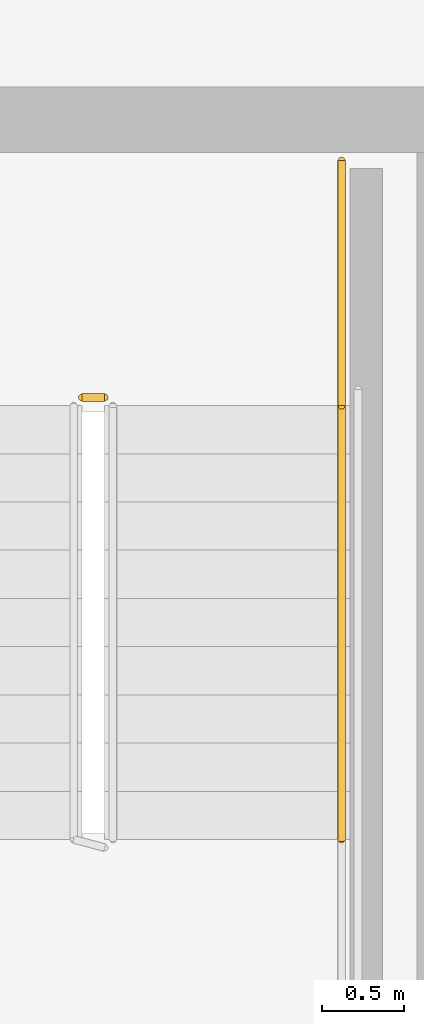
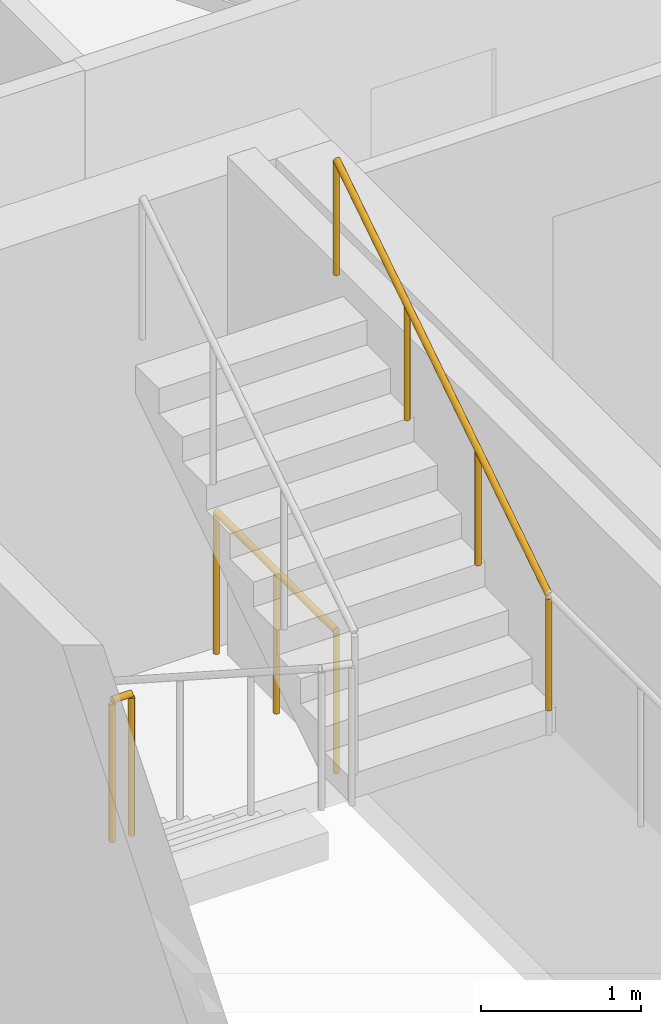
# One storey, part 36 of 37: 3 railings.
"""IFC4 building model written with IfcOpenShell, lengths in metres."""

from ifc_helpers import new_model, si_unit, direction, frame, origin, origin_2d, place, context, subcontext, project, spatial, circle, extrude, material, layer, layer_set, type_object, element, save


model = new_model("IFC4")

# Units and contexts
model_context = context("Model", 3, precision=1e-05, world=origin(), true_north=direction((0.0, 1.0)))
body_context = subcontext(model_context, "Body", "Model", "MODEL_VIEW")
ifc_project = project(units=[si_unit("LENGTHUNIT", "METRE"), si_unit("AREAUNIT", "SQUARE_METRE"), si_unit("VOLUMEUNIT", "CUBIC_METRE"), si_unit("PLANEANGLEUNIT", "RADIAN"), si_unit("MASSUNIT", "GRAM", prefix="KILO")], contexts=[model_context])

# Site, building, storey
site_placement = place(None, origin())
site = spatial("IfcSite", under=ifc_project, at=site_placement, CompositionType="ELEMENT")
building_placement = place(site_placement, origin())
building = spatial("IfcBuilding", under=site, at=building_placement, Name="Ndaravel Arena Tower", CompositionType="ELEMENT")
storey_placement = place(building_placement, frame((0.0, 0.0, 218.0)))
storey = spatial("IfcBuildingStorey", under=building, at=storey_placement, Name="L52", CompositionType="ELEMENT", Elevation=218.0)

# Railings
ifc_material_1 = material(Name="Steel S355", Category="steel")
ifc_layer_1 = layer(ifc_material_1, 0.06005859375)
ifc_layer_set_1 = layer_set([ifc_layer_1], Name="Steel S355")
railing_type_1 = type_object("IfcRailingType", Name="RAIL-STAIR-GD1100", PredefinedType="GUARDRAIL", material=ifc_layer_set_1)
railing_1_placement = place(storey_placement, frame((55.10009765625, 13.300048828125, 0.0)))
element("IfcRailing", 1, at=railing_1_placement, inside=storey, type_object=railing_type_1, Name="L52 ST-3 stair guard 4", PredefinedType="GUARDRAIL", context=body_context, shape_type="SweptSolid", body=[
    extrude(circle(Radius=0.02392578125, at=origin_2d()), frame((0.0, 0.0, 1.076171875), z_axis=(1.0, 0.0, 0.0), x_axis=(0.0, 1.0, 0.0)), (0.0, 0.0, 1.0), 0.139892578125),
    extrude(circle(Radius=0.02099609375, at=origin_2d()), origin(), (0.0, 0.0, 1.0), 1.052001953125),
    extrude(circle(Radius=0.02099609375, at=origin_2d()), frame((0.139892578125, 0.0, 0.0)), (0.0, 0.0, 1.0), 1.052001953125),
])
railing_2_placement = place(storey_placement, frame((56.68994140625, 14.75, 0.0)))
element("IfcRailing", 2, at=railing_2_placement, inside=storey, type_object=railing_type_1, Name="L52 ST-3 stair guard 5", PredefinedType="GUARDRAIL", context=body_context, shape_type="SweptSolid", body=[
    extrude(circle(Radius=0.02392578125, at=origin_2d()), frame((0.0, 0.0, 1.076171875), z_axis=(0.0, -1.0, 0.0), x_axis=(1.0, 0.0, 0.0)), (0.0, 0.0, 1.0), 1.5),
    extrude(circle(Radius=0.02099609375, at=origin_2d()), origin(), (0.0, 0.0, 1.0), 1.052001953125),
    extrude(circle(Radius=0.02099609375, at=origin_2d()), frame((0.0, -0.75, 0.0)), (0.0, 0.0, 1.0), 1.052001953125),
    extrude(circle(Radius=0.02099609375, at=origin_2d()), frame((0.0, -1.5, 0.0)), (0.0, 0.0, 1.0), 1.052001953125),
])
ifc_material_2 = material(Name="Steel S355", Category="steel")
ifc_layer_2 = layer(ifc_material_2, 0.050048828125)
ifc_layer_set_2 = layer_set([ifc_layer_2], Name="Steel S355")
railing_type_2 = type_object("IfcRailingType", Name="RAIL-STAIR-HR920", PredefinedType="HANDRAIL", material=ifc_layer_set_2)
railing_3_placement = place(storey_placement, frame((56.68994140625, 10.594970703125, 2.090087890625)))
element("IfcRailing", 3, at=railing_3_placement, inside=storey, type_object=railing_type_2, Name="L52 ST-3 stair handrail 2", PredefinedType="HANDRAIL", context=body_context, shape_type="SweptSolid", body=[
    extrude(circle(Radius=0.02392578125, at=origin_2d()), frame((0.0, 0.0, 0.8759765625), z_axis=(0.0, 0.840723540582, 0.54146461409), x_axis=(-1.0, 0.0, 0.0)), (0.0, 0.0, 1.0), 3.157958984375),
    extrude(circle(Radius=0.02099609375, at=origin_2d()), origin(), (0.0, 0.0, 1.0), 0.851806640625),
    extrude(circle(Radius=0.02099609375, at=origin_2d()), frame((0.0, 0.885009765625, 0.570068359375)), (0.0, 0.0, 1.0), 0.851806640625),
    extrude(circle(Radius=0.02099609375, at=origin_2d()), frame((0.0, 1.77001953125, 1.139892578125)), (0.0, 0.0, 1.0), 0.851806640625),
    extrude(circle(Radius=0.02099609375, at=origin_2d()), frame((0.0, 2.655029296875, 1.7099609375)), (0.0, 0.0, 1.0), 0.851806640625),
])

save(model, "model.ifc")
